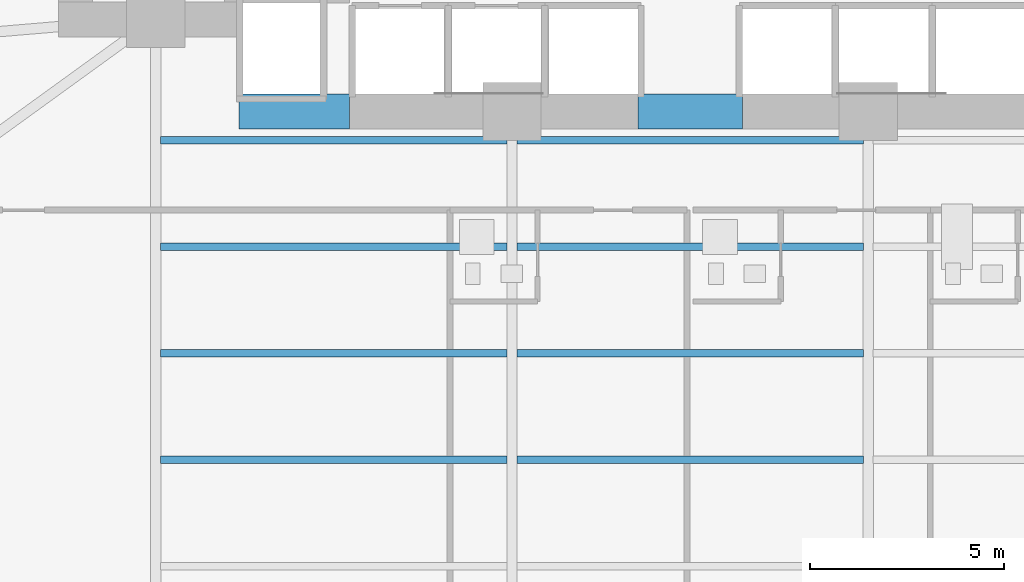
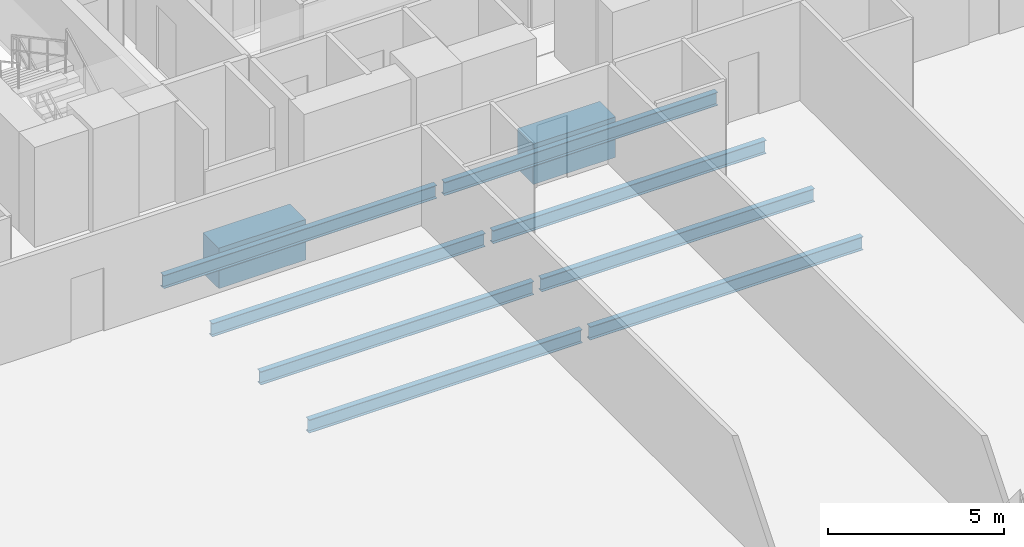
# One storey, part 7 of 30: 10 beams.
"""IFC4 building model written with IfcOpenShell, lengths in metres."""

from ifc_helpers import new_model, si_unit, direction, frame, origin, origin_2d, place, context, subcontext, project, spatial, rectangle, i_section, extrude, material, material_profile, profile_set, type_object, element, save


model = new_model("IFC4")

# Units and contexts
model_context = context("Model", 3, precision=1e-05, world=origin(), true_north=direction((0.0, 1.0)))
body_context = subcontext(model_context, "Body", "Model", "MODEL_VIEW")
ifc_project = project(units=[si_unit("LENGTHUNIT", "METRE"), si_unit("AREAUNIT", "SQUARE_METRE"), si_unit("VOLUMEUNIT", "CUBIC_METRE"), si_unit("PLANEANGLEUNIT", "RADIAN"), si_unit("MASSUNIT", "GRAM", prefix="KILO")], contexts=[model_context])

# Site, building, storey
site_placement = place(None, origin())
site = spatial("IfcSite", under=ifc_project, at=site_placement, CompositionType="ELEMENT")
building_placement = place(site_placement, origin())
building = spatial("IfcBuilding", under=site, at=building_placement, Name="Zuhayl Quay Hotel", CompositionType="ELEMENT")
storey_placement = place(building_placement, frame((0.0, 0.0, 82.35009765625)))
storey = spatial("IfcBuildingStorey", under=building, at=storey_placement, Name="L20", CompositionType="ELEMENT", Elevation=82.35009765625)

# Beams
ifc_material_1 = material(Name="Concrete C60/75", Category="concrete")
ifc_material_profile_1 = material_profile(ifc_material_1, rectangle(XDim=0.89990234375, YDim=1.39990234375, at=origin_2d()), Name="RC900X1400")
ifc_profile_set_1 = profile_set([ifc_material_profile_1], Name="Concrete C60/75")
beam_type_1 = type_object("IfcBeamType", Name="BM_CB1_RC900", PredefinedType="T_BEAM", material=ifc_profile_set_1)
beam_1_placement = place(storey_placement, frame((-11.64990234375, 2.14990234375, -0.920166015625), z_axis=(1.0, 0.0, 0.0), x_axis=(0.0, 1.0, 0.0)))
element("IfcBeam", 1, at=beam_1_placement, inside=storey, type_object=beam_type_1, Name="L20 Core Coupling Beam SW", PredefinedType="T_BEAM", context=body_context, shape_type="SweptSolid", body=[
    extrude(rectangle(XDim=0.89990234375, YDim=1.39990234375, at=origin_2d()), origin(), (0.0, 0.0, 1.0), 2.849853515625),
])
beam_2_placement = place(storey_placement, frame((-1.35009765625, 2.14990234375, -0.920166015625), z_axis=(1.0, 0.0, 0.0), x_axis=(0.0, 1.0, 0.0)))
element("IfcBeam", 2, at=beam_2_placement, inside=storey, type_object=beam_type_1, Name="L20 Core Coupling Beam South", PredefinedType="T_BEAM", context=body_context, shape_type="SweptSolid", body=[
    extrude(rectangle(XDim=0.89990234375, YDim=1.39990234375, at=origin_2d()), origin(), (0.0, 0.0, 1.0), 2.7001953125),
])
ifc_material_2 = material(Name="Steel ASTM A992 Grade 50", Category="steel")
ifc_material_profile_2 = material_profile(ifc_material_2, i_section(OverallWidth=0.18994140625, OverallDepth=0.45703125, WebThickness=0.009033203125, FlangeThickness=0.014404296875, at=origin_2d()), Name="W18X50")
ifc_profile_set_2 = profile_set([ifc_material_profile_2], Name="Steel ASTM A992 Grade 50")
beam_type_2 = type_object("IfcBeamType", Name="BM_J2_W18X50", PredefinedType="JOIST", material=ifc_profile_set_2)
beam_3_placement = place(storey_placement, frame((-13.674560546875, -6.85009765625, -0.448486328125), z_axis=(1.0, 0.0, 0.0), x_axis=(0.0, 1.0, 0.0)))
element("IfcBeam", 3, at=beam_3_placement, inside=storey, type_object=beam_type_2, Name="L20 Floor Beam FJ_L20_7_1", PredefinedType="JOIST", context=body_context, shape_type="SweptSolid", body=[
    extrude(i_section(OverallWidth=0.18994140625, OverallDepth=0.45703125, WebThickness=0.009033203125, FlangeThickness=0.014404296875, at=origin_2d()), origin(), (0.0, 0.0, 1.0), 8.948974609375),
])
beam_4_placement = place(storey_placement, frame((-4.474609375, -6.85009765625, -0.448486328125), z_axis=(1.0, 0.0, 0.0), x_axis=(0.0, 1.0, 0.0)))
element("IfcBeam", 4, at=beam_4_placement, inside=storey, type_object=beam_type_2, Name="L20 Floor Beam FJ_L20_7_2", PredefinedType="JOIST", context=body_context, shape_type="SweptSolid", body=[
    extrude(i_section(OverallWidth=0.18994140625, OverallDepth=0.45703125, WebThickness=0.009033203125, FlangeThickness=0.014404296875, at=origin_2d()), origin(), (0.0, 0.0, 1.0), 8.94921875),
])
beam_5_placement = place(storey_placement, frame((-13.674560546875, -4.10009765625, -0.448486328125), z_axis=(1.0, 0.0, 0.0), x_axis=(0.0, 1.0, 0.0)))
element("IfcBeam", 5, at=beam_5_placement, inside=storey, type_object=beam_type_2, Name="L20 Floor Beam FJ_L20_8_1", PredefinedType="JOIST", context=body_context, shape_type="SweptSolid", body=[
    extrude(i_section(OverallWidth=0.18994140625, OverallDepth=0.45703125, WebThickness=0.009033203125, FlangeThickness=0.014404296875, at=origin_2d()), origin(), (0.0, 0.0, 1.0), 8.948974609375),
])
beam_6_placement = place(storey_placement, frame((-4.474609375, -4.10009765625, -0.448486328125), z_axis=(1.0, 0.0, 0.0), x_axis=(0.0, 1.0, 0.0)))
element("IfcBeam", 6, at=beam_6_placement, inside=storey, type_object=beam_type_2, Name="L20 Floor Beam FJ_L20_8_2", PredefinedType="JOIST", context=body_context, shape_type="SweptSolid", body=[
    extrude(i_section(OverallWidth=0.18994140625, OverallDepth=0.45703125, WebThickness=0.009033203125, FlangeThickness=0.014404296875, at=origin_2d()), origin(), (0.0, 0.0, 1.0), 8.94921875),
])
beam_7_placement = place(storey_placement, frame((-13.674560546875, -1.35009765625, -0.448486328125), z_axis=(1.0, 0.0, 0.0), x_axis=(0.0, 1.0, 0.0)))
element("IfcBeam", 7, at=beam_7_placement, inside=storey, type_object=beam_type_2, Name="L20 Floor Beam FJ_L20_9_1", PredefinedType="JOIST", context=body_context, shape_type="SweptSolid", body=[
    extrude(i_section(OverallWidth=0.18994140625, OverallDepth=0.45703125, WebThickness=0.009033203125, FlangeThickness=0.014404296875, at=origin_2d()), origin(), (0.0, 0.0, 1.0), 8.948974609375),
])
beam_8_placement = place(storey_placement, frame((-4.474609375, -1.35009765625, -0.448486328125), z_axis=(1.0, 0.0, 0.0), x_axis=(0.0, 1.0, 0.0)))
element("IfcBeam", 8, at=beam_8_placement, inside=storey, type_object=beam_type_2, Name="L20 Floor Beam FJ_L20_9_2", PredefinedType="JOIST", context=body_context, shape_type="SweptSolid", body=[
    extrude(i_section(OverallWidth=0.18994140625, OverallDepth=0.45703125, WebThickness=0.009033203125, FlangeThickness=0.014404296875, at=origin_2d()), origin(), (0.0, 0.0, 1.0), 8.94921875),
])
beam_9_placement = place(storey_placement, frame((-13.674560546875, 1.39990234375, -0.448486328125), z_axis=(1.0, 0.0, 0.0), x_axis=(0.0, 1.0, 0.0)))
element("IfcBeam", 9, at=beam_9_placement, inside=storey, type_object=beam_type_2, Name="L20 Floor Beam FJ_L20_10_1", PredefinedType="JOIST", context=body_context, shape_type="SweptSolid", body=[
    extrude(i_section(OverallWidth=0.18994140625, OverallDepth=0.45703125, WebThickness=0.009033203125, FlangeThickness=0.014404296875, at=origin_2d()), origin(), (0.0, 0.0, 1.0), 8.948974609375),
])
beam_10_placement = place(storey_placement, frame((-4.474609375, 1.39990234375, -0.448486328125), z_axis=(1.0, 0.0, 0.0), x_axis=(0.0, 1.0, 0.0)))
element("IfcBeam", 10, at=beam_10_placement, inside=storey, type_object=beam_type_2, Name="L20 Floor Beam FJ_L20_10_2", PredefinedType="JOIST", context=body_context, shape_type="SweptSolid", body=[
    extrude(i_section(OverallWidth=0.18994140625, OverallDepth=0.45703125, WebThickness=0.009033203125, FlangeThickness=0.014404296875, at=origin_2d()), origin(), (0.0, 0.0, 1.0), 8.94921875),
])

save(model, "model.ifc")
